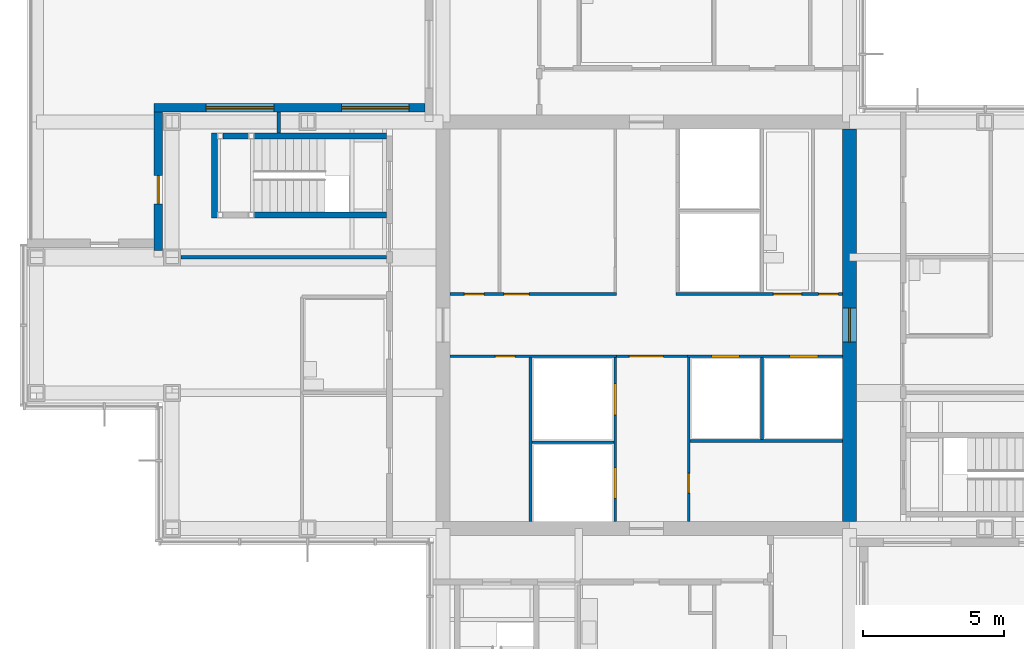
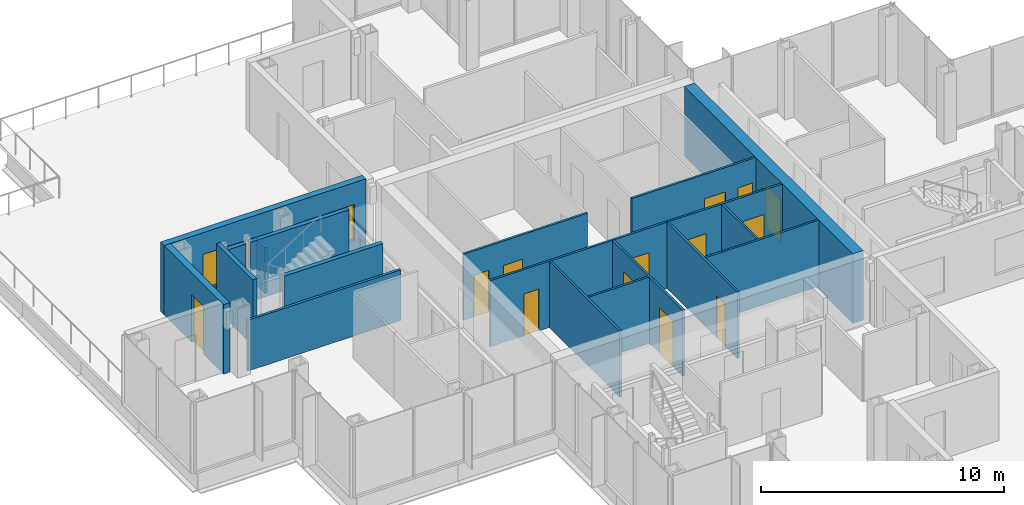
# One storey, part 12 of 17: 20 walls, 13 doors, 2 windows, 15 openings.
"""IFC4 building model written with IfcOpenShell, lengths in metres."""

from ifc_helpers import new_model, si_unit, direction, frame, frame_2d, origin, place, context, subcontext, project, spatial, rectangle, extrude, material, layer, layer_set, type_object, element, fill, save


model = new_model("IFC4")

# Units and contexts
model_context = context("Model", 3, precision=1e-05, world=origin(), true_north=direction((0.0, 1.0)))
body_context = subcontext(model_context, "Body", "Model", "MODEL_VIEW")
ifc_project = project(units=[si_unit("LENGTHUNIT", "METRE"), si_unit("AREAUNIT", "SQUARE_METRE"), si_unit("VOLUMEUNIT", "CUBIC_METRE"), si_unit("PLANEANGLEUNIT", "RADIAN"), si_unit("MASSUNIT", "GRAM", prefix="KILO")], contexts=[model_context])

# Site, building, storey
site_placement = place(None, origin())
site = spatial("IfcSite", under=ifc_project, at=site_placement, CompositionType="ELEMENT")
building_placement = place(site_placement, origin())
building = spatial("IfcBuilding", under=site, at=building_placement, Name="Kvirike Care Tower", CompositionType="ELEMENT")
storey_placement = place(building_placement, frame((0.0, 0.0, 141.0)))
storey = spatial("IfcBuildingStorey", under=building, at=storey_placement, Name="L38", CompositionType="ELEMENT", Elevation=141.0)

# Wall, opening, door
ifc_material_1 = material(Name="Concrete C45/55", Category="concrete")
ifc_layer_1 = layer(ifc_material_1, 0.5)
ifc_layer_set_1 = layer_set([ifc_layer_1], Name="CORE WALL 500 C45-55")
wall_type_1 = type_object("IfcWallType", Name="CORE WALL 500 C45-55", PredefinedType="SHEAR", material=ifc_layer_set_1)
wall_1_placement = place(storey_placement, frame((28.800048828125, 29.050048828125, -0.169921875), z_axis=(0.0, 0.0, 1.0), x_axis=(0.0, 1.0, 0.0)))
wall_1 = element("IfcWall", 1, at=wall_1_placement, inside=storey, type_object=wall_type_1, Name="Core wall E L38", PredefinedType="SHEAR", context=body_context, shape_type="SweptSolid", body=[
    extrude(rectangle(XDim=13.89990234375, YDim=0.5, at=frame_2d((6.949951171875, 0.0))), origin(), (0.0, 0.0, 1.0), 3.5),
])
opening_1_placement = place(wall_1_placement, frame((6.35009765625, 0.0, 0.169921875)))
opening_1 = element("IfcOpeningElement", 2, at=opening_1_placement, cuts=wall_1, Name="Opening 38-038", PredefinedType="OPENING", context=body_context, shape_type="SweptSolid", body=[
    extrude(rectangle(XDim=1.199951171875, YDim=2.10009765625, at=frame_2d((0.60009765625, 1.050048828125))), frame((0.0, 0.260498046875, 0.0), z_axis=(0.0, -1.0, 0.0), x_axis=(1.0, 0.0, 0.0)), (0.0, 0.0, 1.0), 0.52099609375),
])
ifc_material_2 = material(Name="Timber door set", Category="wood")
door_type_1 = type_object("IfcDoorType", Name="CORE DOOR 1200", OperationType="SINGLE_SWING_LEFT", PredefinedType="DOOR", material=ifc_material_2)
door_1_placement = place(opening_1_placement, origin())
door_1 = element("IfcDoor", 3, at=door_1_placement, inside=storey, type_object=door_type_1, Name="Core door E L38", OperationType="SINGLE_SWING_LEFT", OverallHeight=2.10009765625, OverallWidth=1.199951171875, PredefinedType="DOOR", context=body_context, shape_type="SweptSolid", body=[
    extrude(rectangle(XDim=1.199951171875, YDim=2.10009765625, at=frame_2d((0.60009765625, 1.050048828125))), frame((0.0, 0.02685546875, 0.0), z_axis=(0.0, -1.0, 0.0), x_axis=(1.0, 0.0, 0.0)), (0.0, 0.0, 1.0), 0.053955078125),
])
fill(opening_1, door_1)

# Walls
ifc_material_3 = material(Name="Plasterboard partition", Category="gypsum")
ifc_layer_2 = layer(ifc_material_3, 0.1201171875)
ifc_layer_set_2 = layer_set([ifc_layer_2], Name="PARTITION 120")
wall_type_2 = type_object("IfcWallType", Name="PARTITION 120", PredefinedType="PARTITIONING", material=ifc_layer_set_2)
wall_2_placement = place(storey_placement, frame((5.1201171875, 38.39990234375, 0.0), z_axis=(0.0, 0.0, 1.0), x_axis=(1.0, 0.0, 0.0)))
element("IfcWall", 4, at=wall_2_placement, inside=storey, type_object=wall_type_2, Name="Partition 120 L38", PredefinedType="PARTITIONING", context=body_context, shape_type="SweptSolid", body=[
    extrude(rectangle(XDim=7.27978515625, YDim=0.1201171875, at=frame_2d((3.639892578125, 0.0))), origin(), (0.0, 0.0, 1.0), 2.550048828125),
])
wall_3_placement = place(storey_placement, frame((8.580078125, 43.550048828125, 0.0), z_axis=(0.0, 0.0, 1.0), x_axis=(0.0, -1.0, 0.0)))
element("IfcWall", 5, at=wall_3_placement, inside=storey, type_object=wall_type_2, Name="Partition 120 L38", PredefinedType="PARTITIONING", context=body_context, shape_type="SweptSolid", body=[
    extrude(rectangle(XDim=0.75, YDim=0.1201171875, at=frame_2d((0.375, 0.0))), origin(), (0.0, 0.0, 1.0), 2.320068359375),
])

# Wall, openings, doors
ifc_material_4 = material(Name="Gypsum shaft wall system", Category="gypsum")
ifc_layer_3 = layer(ifc_material_4, 0.10009765625)
ifc_layer_set_3 = layer_set([ifc_layer_3], Name="SHAFT WALL 100")
wall_type_3 = type_object("IfcWallType", Name="SHAFT WALL 100", PredefinedType="SOLIDWALL", material=ifc_layer_set_3)
wall_4_placement = place(storey_placement, frame((20.5, 29.050048828125, 0.0), z_axis=(0.0, 0.0, 1.0), x_axis=(0.0, 1.0, 0.0)))
wall_4 = element("IfcWall", 6, at=wall_4_placement, inside=storey, type_object=wall_type_3, Name="Shaft Wall 100 L38", PredefinedType="SOLIDWALL", context=body_context, shape_type="SweptSolid", body=[
    extrude(rectangle(XDim=5.800048828125, YDim=0.10009765625, at=frame_2d((2.89990234375, 0.0))), origin(), (0.0, 0.0, 1.0), 3.330078125),
])
opening_2_placement = place(wall_4_placement, frame((0.800048828125, 0.0, 0.0)))
opening_2 = element("IfcOpeningElement", 7, at=opening_2_placement, cuts=wall_4, Name="Opening 38-020", PredefinedType="OPENING", context=body_context, shape_type="SweptSolid", body=[
    extrude(rectangle(XDim=1.10009765625, YDim=2.300048828125, at=frame_2d((0.550048828125, 1.14990234375))), frame((0.0, 0.060546875, 0.0), z_axis=(0.0, -1.0, 0.0), x_axis=(1.0, 0.0, 0.0)), (0.0, 0.0, 1.0), 0.12109375),
])
opening_3_placement = place(wall_4_placement, frame((3.77490234375, 0.0, 0.0)))
opening_3 = element("IfcOpeningElement", 8, at=opening_3_placement, cuts=wall_4, Name="Opening 38-021", PredefinedType="OPENING", context=body_context, shape_type="SweptSolid", body=[
    extrude(rectangle(XDim=1.10009765625, YDim=2.300048828125, at=frame_2d((0.550048828125, 1.14990234375))), frame((0.0, 0.060546875, 0.0), z_axis=(0.0, -1.0, 0.0), x_axis=(1.0, 0.0, 0.0)), (0.0, 0.0, 1.0), 0.12109375),
])
ifc_material_5 = material(Name="Aluminium door frame", Category="aluminium")
door_type_2 = type_object("IfcDoorType", Name="FIRE-FIGHTING LIFT LANDING DOOR 1100", OperationType="SLIDING_TO_LEFT", PredefinedType="DOOR", material=ifc_material_5)
door_2_placement = place(opening_2_placement, origin())
door_2 = element("IfcDoor", 9, at=door_2_placement, inside=storey, type_object=door_type_2, Name="Lift FF1 landing door", OperationType="SLIDING_TO_LEFT", OverallHeight=2.300048828125, OverallWidth=1.10009765625, PredefinedType="DOOR", context=body_context, shape_type="SweptSolid", body=[
    extrude(rectangle(XDim=1.10009765625, YDim=2.300048828125, at=frame_2d((0.550048828125, 1.14990234375))), frame((0.0, 0.0498046875, 0.0), z_axis=(0.0, -1.0, 0.0), x_axis=(1.0, 0.0, 0.0)), (0.0, 0.0, 1.0), 0.099609375),
])
fill(opening_2, door_2)
door_3_placement = place(opening_3_placement, origin())
door_3 = element("IfcDoor", 10, at=door_3_placement, inside=storey, type_object=door_type_2, Name="Lift FF2 landing door", OperationType="SLIDING_TO_LEFT", OverallHeight=2.300048828125, OverallWidth=1.10009765625, PredefinedType="DOOR", context=body_context, shape_type="SweptSolid", body=[
    extrude(rectangle(XDim=1.10009765625, YDim=2.300048828125, at=frame_2d((0.550048828125, 1.14990234375))), frame((0.0, 0.0498046875, 0.0), z_axis=(0.0, -1.0, 0.0), x_axis=(1.0, 0.0, 0.0)), (0.0, 0.0, 1.0), 0.099609375),
])
fill(opening_3, door_3)

# Wall, opening, door
wall_5_placement = place(storey_placement, frame((23.10009765625, 29.050048828125, 0.0), z_axis=(0.0, 0.0, 1.0), x_axis=(0.0, 1.0, 0.0)))
wall_5 = element("IfcWall", 11, at=wall_5_placement, inside=storey, type_object=wall_type_3, Name="Shaft Wall 100 L38", PredefinedType="SOLIDWALL", context=body_context, shape_type="SweptSolid", body=[
    extrude(rectangle(XDim=5.800048828125, YDim=0.10009765625, at=frame_2d((2.89990234375, 0.0))), origin(), (0.0, 0.0, 1.0), 3.330078125),
])
opening_4_placement = place(wall_5_placement, frame((1.0, 0.0, 0.0)))
opening_4 = element("IfcOpeningElement", 12, at=opening_4_placement, cuts=wall_5, Name="Opening 38-025", PredefinedType="OPENING", context=body_context, shape_type="SweptSolid", body=[
    extrude(rectangle(XDim=0.699951171875, YDim=2.10009765625, at=frame_2d((0.35009765625, 1.050048828125))), frame((0.0, 0.060546875, 0.0), z_axis=(0.0, -1.0, 0.0), x_axis=(1.0, 0.0, 0.0)), (0.0, 0.0, 1.0), 0.12109375),
])
ifc_material_6 = material(Name="Timber door set", Category="wood")
door_type_3 = type_object("IfcDoorType", Name="RISER DOOR 700", OperationType="SINGLE_SWING_LEFT", PredefinedType="DOOR", material=ifc_material_6)
door_4_placement = place(opening_4_placement, origin())
door_4 = element("IfcDoor", 13, at=door_4_placement, inside=storey, type_object=door_type_3, Name="Riser door", OperationType="SINGLE_SWING_RIGHT", OverallHeight=2.10009765625, OverallWidth=0.699951171875, PredefinedType="DOOR", context=body_context, shape_type="SweptSolid", body=[
    extrude(rectangle(XDim=0.699951171875, YDim=2.10009765625, at=frame_2d((0.35009765625, 1.050048828125))), frame((0.0, 0.02685546875, 0.0), z_axis=(0.0, -1.0, 0.0), x_axis=(1.0, 0.0, 0.0)), (0.0, 0.0, 1.0), 0.053955078125),
])
fill(opening_4, door_4)

wall_6_placement = place(storey_placement, frame((14.64990234375, 34.89990234375, 0.0), z_axis=(0.0, 0.0, 1.0), x_axis=(1.0, 0.0, 0.0)))
wall_6 = element("IfcWall", 14, at=wall_6_placement, inside=storey, type_object=wall_type_3, Name="Shaft Wall 100 L38", PredefinedType="SOLIDWALL", context=body_context, shape_type="SweptSolid", body=[
    extrude(rectangle(XDim=5.900146484375, YDim=0.10009765625, at=frame_2d((2.9501953125, 0.0))), origin(), (0.0, 0.0, 1.0), 3.330078125),
])
opening_5_placement = place(wall_6_placement, frame((1.60009765625, 0.0, 0.0)))
opening_5 = element("IfcOpeningElement", 15, at=opening_5_placement, cuts=wall_6, Name="Opening 38-026", PredefinedType="OPENING", context=body_context, shape_type="SweptSolid", body=[
    extrude(rectangle(XDim=0.699951171875, YDim=2.10009765625, at=frame_2d((0.35009765625, 1.050048828125))), frame((0.0, 0.060546875, 0.0), z_axis=(0.0, -1.0, 0.0), x_axis=(1.0, 0.0, 0.0)), (0.0, 0.0, 1.0), 0.12109375),
])
door_5_placement = place(opening_5_placement, frame((0.699951171875, 0.0, 0.0), z_axis=(0.0, 0.0, 1.0), x_axis=(-1.0, 0.0, 0.0)))
door_5 = element("IfcDoor", 16, at=door_5_placement, inside=storey, type_object=door_type_3, Name="Riser door", OperationType="SINGLE_SWING_RIGHT", OverallHeight=2.10009765625, OverallWidth=0.699951171875, PredefinedType="DOOR", context=body_context, shape_type="SweptSolid", body=[
    extrude(rectangle(XDim=0.699951171875, YDim=2.10009765625, at=frame_2d((0.35009765625, 1.050048828125))), frame((0.0, 0.02685546875, 0.0), z_axis=(0.0, -1.0, 0.0), x_axis=(1.0, 0.0, 0.0)), (0.0, 0.0, 1.0), 0.053955078125),
])
fill(opening_5, door_5)

# Wall, openings, doors
wall_7_placement = place(storey_placement, frame((23.050048828125, 34.89990234375, 0.0), z_axis=(0.0, 0.0, 1.0), x_axis=(1.0, 0.0, 0.0)))
wall_7 = element("IfcWall", 17, at=wall_7_placement, inside=storey, type_object=wall_type_3, Name="Shaft Wall 100 L38", PredefinedType="SOLIDWALL", context=body_context, shape_type="SweptSolid", body=[
    extrude(rectangle(XDim=5.5, YDim=0.10009765625, at=frame_2d((2.75, 0.0))), origin(), (0.0, 0.0, 1.0), 3.330078125),
])
opening_6_placement = place(wall_7_placement, frame((0.85009765625, 0.0, 0.0)))
opening_6 = element("IfcOpeningElement", 18, at=opening_6_placement, cuts=wall_7, Name="Opening 38-027", PredefinedType="OPENING", context=body_context, shape_type="SweptSolid", body=[
    extrude(rectangle(XDim=1.0, YDim=2.10009765625, at=frame_2d((0.5, 1.050048828125))), frame((0.0, 0.060546875, 0.0), z_axis=(0.0, -1.0, 0.0), x_axis=(1.0, 0.0, 0.0)), (0.0, 0.0, 1.0), 0.12109375),
])
opening_7_placement = place(wall_7_placement, frame((3.625, 0.0, 0.0)))
opening_7 = element("IfcOpeningElement", 19, at=opening_7_placement, cuts=wall_7, Name="Opening 38-028", PredefinedType="OPENING", context=body_context, shape_type="SweptSolid", body=[
    extrude(rectangle(XDim=1.0, YDim=2.10009765625, at=frame_2d((0.5, 1.050048828125))), frame((0.0, 0.060546875, 0.0), z_axis=(0.0, -1.0, 0.0), x_axis=(1.0, 0.0, 0.0)), (0.0, 0.0, 1.0), 0.12109375),
])
ifc_material_7 = material(Name="Aluminium door frame", Category="aluminium")
door_type_4 = type_object("IfcDoorType", Name="LIFT LANDING DOOR 1000", OperationType="SLIDING_TO_LEFT", PredefinedType="DOOR", material=ifc_material_7)
door_6_placement = place(opening_6_placement, origin())
door_6 = element("IfcDoor", 20, at=door_6_placement, inside=storey, type_object=door_type_4, Name="Lift P5 landing door", OperationType="SLIDING_TO_LEFT", OverallHeight=2.10009765625, OverallWidth=1.0, PredefinedType="DOOR", context=body_context, shape_type="SweptSolid", body=[
    extrude(rectangle(XDim=1.0, YDim=2.10009765625, at=frame_2d((0.5, 1.050048828125))), frame((0.0, 0.0498046875, 0.0), z_axis=(0.0, -1.0, 0.0), x_axis=(1.0, 0.0, 0.0)), (0.0, 0.0, 1.0), 0.099609375),
])
fill(opening_6, door_6)
door_7_placement = place(opening_7_placement, origin())
door_7 = element("IfcDoor", 21, at=door_7_placement, inside=storey, type_object=door_type_4, Name="Lift P6 landing door", OperationType="SLIDING_TO_LEFT", OverallHeight=2.10009765625, OverallWidth=1.0, PredefinedType="DOOR", context=body_context, shape_type="SweptSolid", body=[
    extrude(rectangle(XDim=1.0, YDim=2.10009765625, at=frame_2d((0.5, 1.050048828125))), frame((0.0, 0.0498046875, 0.0), z_axis=(0.0, -1.0, 0.0), x_axis=(1.0, 0.0, 0.0)), (0.0, 0.0, 1.0), 0.099609375),
])
fill(opening_7, door_7)

wall_8_placement = place(storey_placement, frame((14.64990234375, 37.10009765625, 0.0), z_axis=(0.0, 0.0, 1.0), x_axis=(1.0, 0.0, 0.0)))
wall_8 = element("IfcWall", 22, at=wall_8_placement, inside=storey, type_object=wall_type_3, Name="Shaft Wall 100 L38", PredefinedType="SOLIDWALL", context=body_context, shape_type="SweptSolid", body=[
    extrude(rectangle(XDim=5.900146484375, YDim=0.10009765625, at=frame_2d((2.9501953125, 0.0))), origin(), (0.0, 0.0, 1.0), 3.330078125),
])
opening_8_placement = place(wall_8_placement, frame((0.5, 0.0, 0.0)))
opening_8 = element("IfcOpeningElement", 23, at=opening_8_placement, cuts=wall_8, Name="Opening 38-029", PredefinedType="OPENING", context=body_context, shape_type="SweptSolid", body=[
    extrude(rectangle(XDim=0.699951171875, YDim=2.10009765625, at=frame_2d((0.35009765625, 1.050048828125))), frame((0.0, 0.060546875, 0.0), z_axis=(0.0, -1.0, 0.0), x_axis=(1.0, 0.0, 0.0)), (0.0, 0.0, 1.0), 0.12109375),
])
opening_9_placement = place(wall_8_placement, frame((1.89990234375, 0.0, 0.0)))
opening_9 = element("IfcOpeningElement", 24, at=opening_9_placement, cuts=wall_8, Name="Opening 38-030", PredefinedType="OPENING", context=body_context, shape_type="SweptSolid", body=[
    extrude(rectangle(XDim=0.89990234375, YDim=2.10009765625, at=frame_2d((0.449951171875, 1.050048828125))), frame((0.0, 0.060546875, 0.0), z_axis=(0.0, -1.0, 0.0), x_axis=(1.0, 0.0, 0.0)), (0.0, 0.0, 1.0), 0.12109375),
])
door_8_placement = place(opening_8_placement, origin())
door_8 = element("IfcDoor", 25, at=door_8_placement, inside=storey, type_object=door_type_3, Name="Riser door", OperationType="SINGLE_SWING_RIGHT", OverallHeight=2.10009765625, OverallWidth=0.699951171875, PredefinedType="DOOR", context=body_context, shape_type="SweptSolid", body=[
    extrude(rectangle(XDim=0.699951171875, YDim=2.10009765625, at=frame_2d((0.35009765625, 1.050048828125))), frame((0.0, 0.02685546875, 0.0), z_axis=(0.0, -1.0, 0.0), x_axis=(1.0, 0.0, 0.0)), (0.0, 0.0, 1.0), 0.053955078125),
])
fill(opening_8, door_8)
ifc_material_8 = material(Name="Timber door set", Category="wood")
door_type_5 = type_object("IfcDoorType", Name="STORE DOOR 900", OperationType="SINGLE_SWING_LEFT", PredefinedType="DOOR", material=ifc_material_8)
door_9_placement = place(opening_9_placement, origin())
door_9 = element("IfcDoor", 26, at=door_9_placement, inside=storey, type_object=door_type_5, Name="Staff changing room door", OperationType="SINGLE_SWING_RIGHT", OverallHeight=2.10009765625, OverallWidth=0.89990234375, PredefinedType="DOOR", context=body_context, shape_type="SweptSolid", body=[
    extrude(rectangle(XDim=0.89990234375, YDim=2.10009765625, at=frame_2d((0.449951171875, 1.050048828125))), frame((0.0, 0.02685546875, 0.0), z_axis=(0.0, -1.0, 0.0), x_axis=(1.0, 0.0, 0.0)), (0.0, 0.0, 1.0), 0.053955078125),
])
fill(opening_9, door_9)

wall_9_placement = place(storey_placement, frame((22.64990234375, 37.10009765625, 0.0), z_axis=(0.0, 0.0, 1.0), x_axis=(1.0, 0.0, 0.0)))
wall_9 = element("IfcWall", 27, at=wall_9_placement, inside=storey, type_object=wall_type_3, Name="Shaft Wall 100 L38", PredefinedType="SOLIDWALL", context=body_context, shape_type="SweptSolid", body=[
    extrude(rectangle(XDim=5.900146484375, YDim=0.10009765625, at=frame_2d((2.9501953125, 0.0))), origin(), (0.0, 0.0, 1.0), 3.330078125),
])
opening_10_placement = place(wall_9_placement, frame((3.449951171875, 0.0, 0.0)))
opening_10 = element("IfcOpeningElement", 28, at=opening_10_placement, cuts=wall_9, Name="Opening 38-031", PredefinedType="OPENING", context=body_context, shape_type="SweptSolid", body=[
    extrude(rectangle(XDim=1.0, YDim=2.10009765625, at=frame_2d((0.5, 1.050048828125))), frame((0.0, 0.060546875, 0.0), z_axis=(0.0, -1.0, 0.0), x_axis=(1.0, 0.0, 0.0)), (0.0, 0.0, 1.0), 0.12109375),
])
opening_11_placement = place(wall_9_placement, frame((5.050048828125, 0.0, 0.0)))
opening_11 = element("IfcOpeningElement", 29, at=opening_11_placement, cuts=wall_9, Name="Opening 38-032", PredefinedType="OPENING", context=body_context, shape_type="SweptSolid", body=[
    extrude(rectangle(XDim=0.699951171875, YDim=2.10009765625, at=frame_2d((0.35009765625, 1.050048828125))), frame((0.0, 0.060546875, 0.0), z_axis=(0.0, -1.0, 0.0), x_axis=(1.0, 0.0, 0.0)), (0.0, 0.0, 1.0), 0.12109375),
])
door_10_placement = place(opening_11_placement, origin())
door_10 = element("IfcDoor", 30, at=door_10_placement, inside=storey, type_object=door_type_3, Name="Riser door", OperationType="SINGLE_SWING_RIGHT", OverallHeight=2.10009765625, OverallWidth=0.699951171875, PredefinedType="DOOR", context=body_context, shape_type="SweptSolid", body=[
    extrude(rectangle(XDim=0.699951171875, YDim=2.10009765625, at=frame_2d((0.35009765625, 1.050048828125))), frame((0.0, 0.02685546875, 0.0), z_axis=(0.0, -1.0, 0.0), x_axis=(1.0, 0.0, 0.0)), (0.0, 0.0, 1.0), 0.053955078125),
])
fill(opening_11, door_10)
ifc_material_9 = material(Name="Timber door set", Category="wood")
door_type_6 = type_object("IfcDoorType", Name="WC DOOR 1000", OperationType="SINGLE_SWING_LEFT", PredefinedType="DOOR", material=ifc_material_9)
door_11_placement = place(opening_10_placement, origin())
door_11 = element("IfcDoor", 31, at=door_11_placement, inside=storey, type_object=door_type_6, Name="Staff WC door", OperationType="SINGLE_SWING_RIGHT", OverallHeight=2.10009765625, OverallWidth=1.0, PredefinedType="DOOR", context=body_context, shape_type="SweptSolid", body=[
    extrude(rectangle(XDim=1.0, YDim=2.10009765625, at=frame_2d((0.5, 1.050048828125))), frame((0.0, 0.02685546875, 0.0), z_axis=(0.0, -1.0, 0.0), x_axis=(1.0, 0.0, 0.0)), (0.0, 0.0, 1.0), 0.053955078125),
])
fill(opening_10, door_11)

# Wall, opening, door
wall_10_placement = place(storey_placement, frame((20.550048828125, 34.89990234375, 0.0), z_axis=(0.0, 0.0, 1.0), x_axis=(1.0, 0.0, 0.0)))
wall_10 = element("IfcWall", 32, at=wall_10_placement, inside=storey, type_object=wall_type_3, Name="Shaft Wall 100 L38", PredefinedType="SOLIDWALL", context=body_context, shape_type="SweptSolid", body=[
    extrude(rectangle(XDim=2.5, YDim=0.10009765625, at=frame_2d((1.25, 0.0))), origin(), (0.0, 0.0, 1.0), 3.330078125),
])
opening_12_placement = place(wall_10_placement, frame((0.449951171875, 0.0, 0.0)))
opening_12 = element("IfcOpeningElement", 33, at=opening_12_placement, cuts=wall_10, Name="Opening 38-033", PredefinedType="OPENING", context=body_context, shape_type="SweptSolid", body=[
    extrude(rectangle(XDim=1.199951171875, YDim=2.10009765625, at=frame_2d((0.60009765625, 1.050048828125))), frame((0.0, 0.060546875, 0.0), z_axis=(0.0, -1.0, 0.0), x_axis=(1.0, 0.0, 0.0)), (0.0, 0.0, 1.0), 0.12109375),
])
door_12_placement = place(opening_12_placement, frame((1.199951171875, 0.0, 0.0), z_axis=(0.0, 0.0, 1.0), x_axis=(-1.0, 0.0, 0.0)))
door_12 = element("IfcDoor", 34, at=door_12_placement, inside=storey, type_object=door_type_1, Name="Fire-fighting lobby door", OperationType="SINGLE_SWING_LEFT", OverallHeight=2.10009765625, OverallWidth=1.199951171875, PredefinedType="DOOR", context=body_context, shape_type="SweptSolid", body=[
    extrude(rectangle(XDim=1.199951171875, YDim=2.10009765625, at=frame_2d((0.60009765625, 1.050048828125))), frame((0.0, 0.02685546875, 0.0), z_axis=(0.0, -1.0, 0.0), x_axis=(1.0, 0.0, 0.0)), (0.0, 0.0, 1.0), 0.053955078125),
])
fill(opening_12, door_12)

# Walls
wall_11_placement = place(storey_placement, frame((17.5, 29.050048828125, 0.0), z_axis=(0.0, 0.0, 1.0), x_axis=(0.0, 1.0, 0.0)))
element("IfcWall", 35, at=wall_11_placement, inside=storey, type_object=wall_type_3, Name="Shaft Wall 100 L38", PredefinedType="SOLIDWALL", context=body_context, shape_type="SweptSolid", body=[
    extrude(rectangle(XDim=5.800048828125, YDim=0.10009765625, at=frame_2d((2.89990234375, 0.0))), origin(), (0.0, 0.0, 1.0), 3.330078125),
])
wall_12_placement = place(storey_placement, frame((17.550048828125, 31.85009765625, 0.0), z_axis=(0.0, 0.0, 1.0), x_axis=(1.0, 0.0, 0.0)))
element("IfcWall", 36, at=wall_12_placement, inside=storey, type_object=wall_type_3, Name="Shaft Wall 100 L38", PredefinedType="SOLIDWALL", context=body_context, shape_type="SweptSolid", body=[
    extrude(rectangle(XDim=2.89990234375, YDim=0.10009765625, at=frame_2d((1.449951171875, 0.0))), origin(), (0.0, 0.0, 1.0), 3.330078125),
])
wall_13_placement = place(storey_placement, frame((25.699951171875, 31.949951171875, 0.0), z_axis=(0.0, 0.0, 1.0), x_axis=(0.0, 1.0, 0.0)))
element("IfcWall", 37, at=wall_13_placement, inside=storey, type_object=wall_type_3, Name="Shaft Wall 100 L38", PredefinedType="SOLIDWALL", context=body_context, shape_type="SweptSolid", body=[
    extrude(rectangle(XDim=2.900146484375, YDim=0.10009765625, at=frame_2d((1.4501953125, 0.0))), origin(), (0.0, 0.0, 1.0), 3.330078125),
])
wall_14_placement = place(storey_placement, frame((23.14990234375, 31.89990234375, 0.0), z_axis=(0.0, 0.0, 1.0), x_axis=(1.0, 0.0, 0.0)))
element("IfcWall", 38, at=wall_14_placement, inside=storey, type_object=wall_type_3, Name="Shaft Wall 100 L38", PredefinedType="SOLIDWALL", context=body_context, shape_type="SweptSolid", body=[
    extrude(rectangle(XDim=5.400146484375, YDim=0.10009765625, at=frame_2d((2.7001953125, 0.0))), origin(), (0.0, 0.0, 1.0), 3.330078125),
])
ifc_material_10 = material(Name="Concrete C40/50", Category="concrete")
ifc_layer_4 = layer(ifc_material_10, 0.199951171875)
ifc_layer_set_4 = layer_set([ifc_layer_4], Name="STAIR WALL 200")
wall_type_4 = type_object("IfcWallType", Name="STAIR WALL 200", PredefinedType="SOLIDWALL", material=ifc_layer_set_4)
wall_15_placement = place(storey_placement, frame((6.60009765625, 42.699951171875, 0.0), z_axis=(0.0, 0.0, 1.0), x_axis=(1.0, 0.0, 0.0)))
element("IfcWall", 39, at=wall_15_placement, inside=storey, type_object=wall_type_4, Name="Stair Wall 200 L38", PredefinedType="SOLIDWALL", context=body_context, shape_type="SweptSolid", body=[
    extrude(rectangle(XDim=0.89990234375, YDim=0.199951171875, at=frame_2d((0.449951171875, 0.0))), origin(), (0.0, 0.0, 1.0), 2.989990234375),
])
for number, where, z_axis, x_axis, name in (
    (40, (7.699951171875, 42.699951171875, 0.0), (0.0, 0.0, 1.0), (1.0, 0.0, 0.0), "Stair Wall 200 L38"),
    (41, (7.699951171875, 39.89990234375, 0.0), (0.0, 0.0, 1.0), (1.0, 0.0, 0.0), "Stair Wall 200 L38"),
):
    element("IfcWall", number, at=place(storey_placement, frame(where, z_axis=z_axis, x_axis=x_axis)), inside=storey, type_object=wall_type_4, Name=name, PredefinedType="SOLIDWALL", context=body_context, shape_type="SweptSolid", body=[
        extrude(rectangle(XDim=4.699951171875, YDim=0.199951171875, at=frame_2d((2.35009765625, 0.0))), origin(), (0.0, 0.0, 1.0), 2.989990234375),
    ])
wall_16_placement = place(storey_placement, frame((6.300048828125, 42.800048828125, 0.0), z_axis=(0.0, 0.0, 1.0), x_axis=(0.0, -1.0, 0.0)))
element("IfcWall", 42, at=wall_16_placement, inside=storey, type_object=wall_type_4, Name="Stair Wall 200 L38", PredefinedType="SOLIDWALL", context=body_context, shape_type="SweptSolid", body=[
    extrude(rectangle(XDim=3.0, YDim=0.199951171875, at=frame_2d((1.5, 0.0))), origin(), (0.0, 0.0, 1.0), 3.330078125),
])

# Wall, openings, windows
ifc_material_11 = material(Name="Bronze-clad insulated blockwork wall", Category="masonry")
ifc_layer_5 = layer(ifc_material_11, 0.300048828125)
ifc_layer_set_5 = layer_set([ifc_layer_5], Name="TERRACE WALL 300")
wall_type_5 = type_object("IfcWallType", Name="TERRACE WALL 300", PredefinedType="SOLIDWALL", material=ifc_layer_set_5)
wall_17_placement = place(storey_placement, frame((13.75, 43.699951171875, 0.0), z_axis=(0.0, 0.0, 1.0), x_axis=(-1.0, 0.0, 0.0)))
wall_17 = element("IfcWall", 43, at=wall_17_placement, inside=storey, type_object=wall_type_5, Name="Terrace wall L38 face 15", PredefinedType="SOLIDWALL", context=body_context, shape_type="SweptSolid", body=[
    extrude(rectangle(XDim=9.60009765625, YDim=0.300048828125, at=frame_2d((4.800048828125, 0.0))), origin(), (0.0, 0.0, 1.0), 3.5),
])
opening_13_placement = place(wall_17_placement, frame((5.35009765625, 0.0, 0.60009765625)))
opening_13 = element("IfcOpeningElement", 44, at=opening_13_placement, cuts=wall_17, Name="Opening W01", PredefinedType="OPENING", context=body_context, shape_type="SweptSolid", body=[
    extrude(rectangle(XDim=2.39990234375, YDim=1.800048828125, at=frame_2d((1.199951171875, 0.89990234375))), frame((0.0, 0.16064453125, 0.0), z_axis=(0.0, -1.0, 0.0), x_axis=(1.0, 0.0, 0.0)), (0.0, 0.0, 1.0), 0.321044921875),
])
opening_14_placement = place(wall_17_placement, frame((0.550048828125, 0.0, 0.60009765625)))
opening_14 = element("IfcOpeningElement", 45, at=opening_14_placement, cuts=wall_17, Name="Opening W01", PredefinedType="OPENING", context=body_context, shape_type="SweptSolid", body=[
    extrude(rectangle(XDim=2.39990234375, YDim=1.800048828125, at=frame_2d((1.199951171875, 0.89990234375))), frame((0.0, 0.16064453125, 0.0), z_axis=(0.0, -1.0, 0.0), x_axis=(1.0, 0.0, 0.0)), (0.0, 0.0, 1.0), 0.321044921875),
])
ifc_material_12 = material(Name="Bronze anodised aluminium window", Category="aluminium")
window_type = type_object("IfcWindowType", Name="TERRACE WINDOW 2400", PartitioningType="SINGLE_PANEL", PredefinedType="WINDOW", material=ifc_material_12)
window_1_placement = place(opening_13_placement, origin())
window_1 = element("IfcWindow", 46, at=window_1_placement, inside=storey, type_object=window_type, Name="Terrace Window 2400 L38", OverallHeight=1.800048828125, OverallWidth=2.39990234375, PartitioningType="SINGLE_PANEL", PredefinedType="WINDOW", context=body_context, shape_type="SweptSolid", body=[
    extrude(rectangle(XDim=2.39990234375, YDim=1.800048828125, at=frame_2d((1.199951171875, 0.89990234375))), frame((0.0, 0.030029296875, 0.0), z_axis=(0.0, -1.0, 0.0), x_axis=(1.0, 0.0, 0.0)), (0.0, 0.0, 1.0), 0.06005859375),
])
fill(opening_13, window_1)
window_2_placement = place(opening_14_placement, origin())
window_2 = element("IfcWindow", 47, at=window_2_placement, inside=storey, type_object=window_type, Name="Terrace Window 2400 L38", OverallHeight=1.800048828125, OverallWidth=2.39990234375, PartitioningType="SINGLE_PANEL", PredefinedType="WINDOW", context=body_context, shape_type="SweptSolid", body=[
    extrude(rectangle(XDim=2.39990234375, YDim=1.800048828125, at=frame_2d((1.199951171875, 0.89990234375))), frame((0.0, 0.030029296875, 0.0), z_axis=(0.0, -1.0, 0.0), x_axis=(1.0, 0.0, 0.0)), (0.0, 0.0, 1.0), 0.06005859375),
])
fill(opening_14, window_2)

# Wall, opening, door
wall_18_placement = place(storey_placement, frame((4.300048828125, 43.550048828125, 0.0), z_axis=(0.0, 0.0, 1.0), x_axis=(0.0, -1.0, 0.0)))
wall_18 = element("IfcWall", 48, at=wall_18_placement, inside=storey, type_object=wall_type_5, Name="Terrace wall L38 face 16", PredefinedType="SOLIDWALL", context=body_context, shape_type="SweptSolid", body=[
    extrude(rectangle(XDim=4.900146484375, YDim=0.300048828125, at=frame_2d((2.4501953125, 0.0))), origin(), (0.0, 0.0, 1.0), 3.5),
])
opening_15_placement = place(wall_18_placement, frame((2.25, 0.0, 0.0)))
opening_15 = element("IfcOpeningElement", 49, at=opening_15_placement, cuts=wall_18, Name="Opening 38-806", PredefinedType="OPENING", context=body_context, shape_type="SweptSolid", body=[
    extrude(rectangle(XDim=1.0, YDim=2.39990234375, at=frame_2d((0.5, 1.199951171875))), frame((0.0, 0.16064453125, 0.0), z_axis=(0.0, -1.0, 0.0), x_axis=(1.0, 0.0, 0.0)), (0.0, 0.0, 1.0), 0.321044921875),
])
ifc_material_13 = material(Name="Aluminium door frame", Category="aluminium")
door_type_7 = type_object("IfcDoorType", Name="TERRACE DOOR 1000", OperationType="SINGLE_SWING_LEFT", PredefinedType="DOOR", material=ifc_material_13)
door_13_placement = place(opening_15_placement, origin())
door_13 = element("IfcDoor", 50, at=door_13_placement, inside=storey, type_object=door_type_7, Name="Quiet room terrace door", OperationType="SINGLE_SWING_LEFT", OverallHeight=2.39990234375, OverallWidth=1.0, PredefinedType="DOOR", context=body_context, shape_type="SweptSolid", body=[
    extrude(rectangle(XDim=1.0, YDim=2.39990234375, at=frame_2d((0.5, 1.199951171875))), frame((0.0, 0.03515625, 0.0), z_axis=(0.0, -1.0, 0.0), x_axis=(1.0, 0.0, 0.0)), (0.0, 0.0, 1.0), 0.070068359375),
])
fill(opening_15, door_13)

save(model, "model.ifc")
